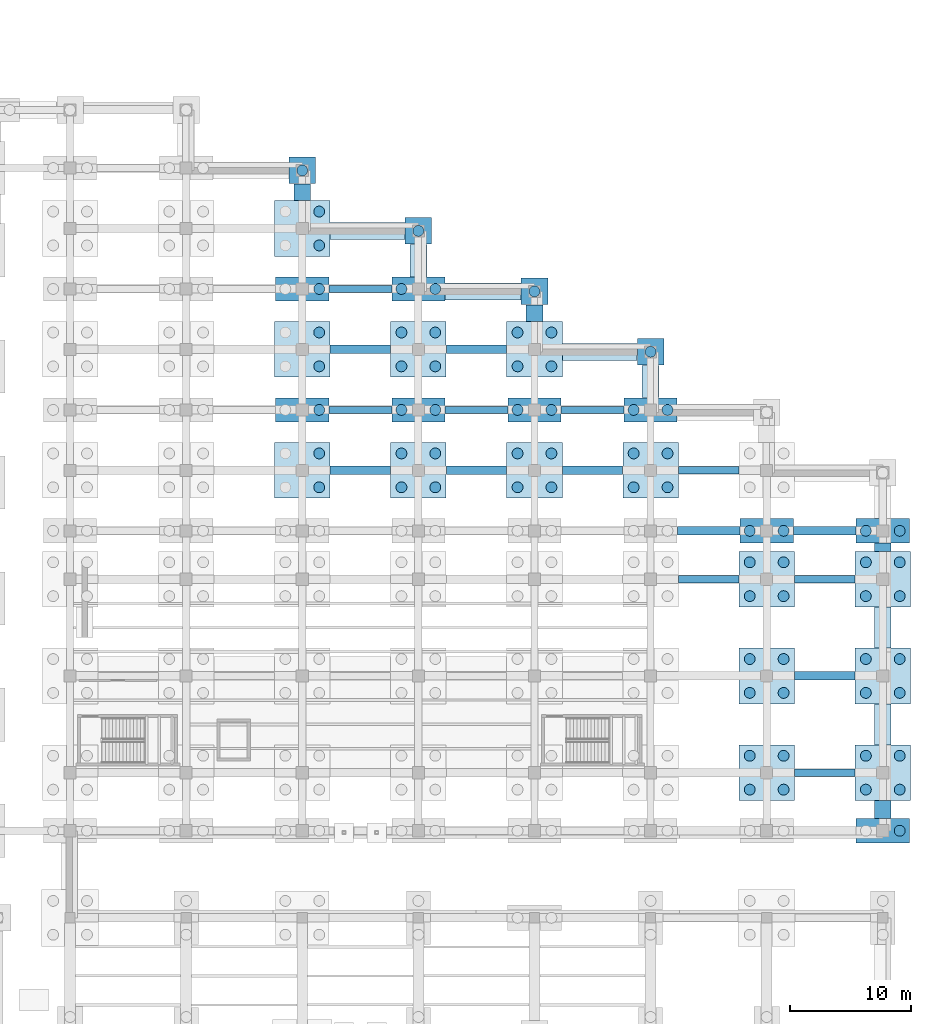
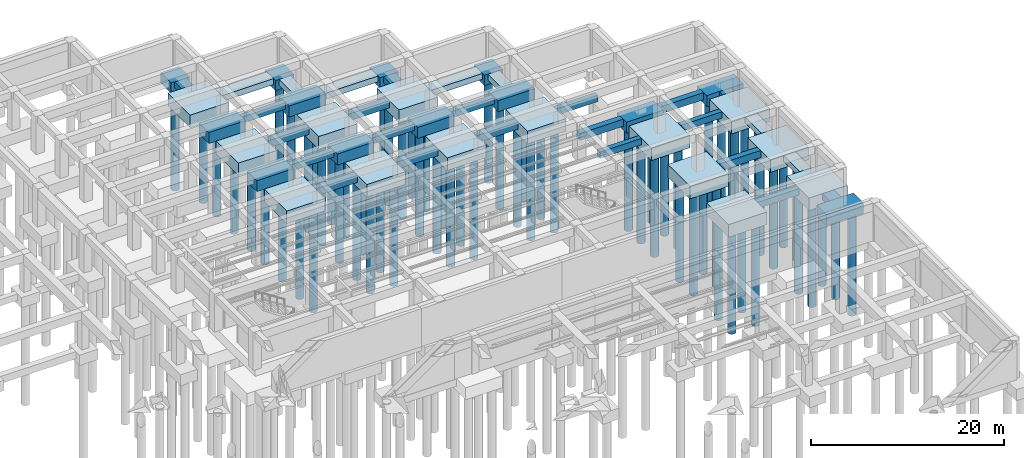
# One storey, part 10 of 56: 69 piles, 54 footings.
"""IFC4 building model written with IfcOpenShell, lengths in metres."""

import ifcopenshell
import ifcopenshell.guid

model = None  # the IFC model being written
_history = None  # IfcOwnerHistory: only IFC2X3 demands one
_inside = {}  # id of a spatial element -> (the spatial element, [elements in it])
_under = {}  # id of a project, library or spatial element -> (it, [spatial elements below it])
_declared = {}  # id of a project -> (the project, [libraries it declares])
_typed = {}  # id of a type object -> (the type object, [elements of that type])
_made_of = {}  # id of a material, layer set ... -> (it, [elements and type objects made of it])


def new_model(schema):
    """Start an empty IFC model of exactly this schema.

    Asked for "IFC4X3", IfcOpenShell would pick the latest addendum, in which some entities
    have other attributes; the version numbers below select the first issue.
    IFC2X3 requires an IfcOwnerHistory on every rooted entity: one is made here for all.
    """
    global model, _history
    if schema == "IFC4X3":
        model = ifcopenshell.file(schema_version=(4, 3, 0, 0))
    else:
        model = ifcopenshell.file(schema=schema)
    _inside.clear()
    _under.clear()
    _declared.clear()
    _typed.clear()
    _made_of.clear()
    _history = None
    if model.schema == "IFC2X3":
        org = make("IfcOrganization", Name="unknown")
        user = make(
            "IfcPersonAndOrganization",
            ThePerson=make("IfcPerson", FamilyName="unknown"),
            TheOrganization=org,
        )
        app = make(
            "IfcApplication",
            ApplicationDeveloper=org,
            Version="unknown",
            ApplicationFullName="unknown",
            ApplicationIdentifier="unknown",
        )
        _history = make(
            "IfcOwnerHistory",
            OwningUser=user,
            OwningApplication=app,
            ChangeAction="ADDED",
            CreationDate=0,
        )
    return model


def make(cls, **values):
    """One entity of the class cls with the attributes given. An attribute that is None is left unset."""
    return model.create_entity(
        cls, **{name: value for name, value in values.items() if value is not None}
    )


def rooted(cls, **values):
    """An entity with a GlobalId (a new one), such as an element, a storey or a relation."""
    return make(cls, GlobalId=ifcopenshell.guid.new(), OwnerHistory=_history, **values)


def si_unit(unit_type, name, prefix=None):
    """IfcSIUnit, for example si_unit("LENGTHUNIT", "METRE", prefix="MILLI")."""
    return make("IfcSIUnit", UnitType=unit_type, Prefix=prefix, Name=name)


def assignment(units):
    """IfcUnitAssignment: the units of a project."""
    return None if units is None else make("IfcUnitAssignment", Units=units)


def point(xyz):
    """IfcCartesianPoint."""
    return None if xyz is None else make("IfcCartesianPoint", Coordinates=xyz)


def direction(xyz):
    """IfcDirection."""
    return None if xyz is None else make("IfcDirection", DirectionRatios=xyz)


def frame(location, z_axis=None, x_axis=None):
    """IfcAxis2Placement3D, a coordinate frame: its origin and axes. An axis left out is left unset."""
    return make(
        "IfcAxis2Placement3D",
        Location=point(location),
        Axis=direction(z_axis),
        RefDirection=direction(x_axis),
    )


def frame_2d(location, x_axis=None):
    """IfcAxis2Placement2D, a coordinate frame in the plane: its origin and x axis."""
    return make(
        "IfcAxis2Placement2D", Location=point(location), RefDirection=direction(x_axis)
    )


def origin():
    """The frame at (0, 0, 0) with its axes left unset."""
    return frame((0.0, 0.0, 0.0))


def origin_2d():
    """The frame at (0, 0) in the plane with its x axis left unset."""
    return frame_2d((0.0, 0.0))


def place(relative_to, where):
    """IfcLocalPlacement: puts the frame where relative to a parent placement (None: the world)."""
    return make(
        "IfcLocalPlacement", PlacementRelTo=relative_to, RelativePlacement=where
    )


def context(
    kind, dimensions, precision=None, world=None, true_north=None, identifier=None
):
    """IfcGeometricRepresentationContext, for example the 3D "Model" context."""
    return make(
        "IfcGeometricRepresentationContext",
        ContextIdentifier=identifier,
        ContextType=kind,
        CoordinateSpaceDimension=dimensions,
        Precision=precision,
        WorldCoordinateSystem=world,
        TrueNorth=true_north,
    )


def subcontext(parent, identifier, kind, view, scale=None):
    """IfcGeometricRepresentationSubContext, for example "Body" below "Model"."""
    return make(
        "IfcGeometricRepresentationSubContext",
        ContextIdentifier=identifier,
        ContextType=kind,
        ParentContext=parent,
        TargetScale=scale,
        TargetView=view,
    )


def project(units=None, contexts=None):
    """IfcProject with its units and contexts."""
    return rooted(
        "IfcProject",
        Name="project",
        RepresentationContexts=contexts,
        UnitsInContext=assignment(units),
    )


def spatial(cls, under=None, at=None, **own):
    """A site, building, storey or space (cls), placed at a placement, below another one or the project."""
    s = rooted(cls, ObjectPlacement=at, **own)
    if under is not None:
        _under.setdefault(under.id(), (under, []))[1].append(s)
    return s


def profile(cls, at=None, kind="AREA", **sizes):
    """A parametric profile (cls). Its sizes go by their IFC names, for example OverallWidth=200.0."""
    return make(cls, ProfileType=kind, Position=at, **sizes)


def rectangle(**sizes):
    """IfcRectangleProfileDef."""
    return profile("IfcRectangleProfileDef", **sizes)


def circle(**sizes):
    """IfcCircleProfileDef."""
    return profile("IfcCircleProfileDef", **sizes)


def extrude(swept, where, along, depth):
    """IfcExtrudedAreaSolid: the profile swept, set in the frame where, extruded along a direction by depth."""
    return make(
        "IfcExtrudedAreaSolid",
        SweptArea=swept,
        Position=where,
        ExtrudedDirection=direction(along),
        Depth=depth,
    )


def shape(context_of_items, identifier, shape_type, items):
    """IfcShapeRepresentation: the items that make up one representation, for example the "Body"."""
    return make(
        "IfcShapeRepresentation",
        ContextOfItems=context_of_items,
        RepresentationIdentifier=identifier,
        RepresentationType=shape_type,
        Items=items,
    )


def material(Name=None, Category=None):
    """IfcMaterial."""
    return make("IfcMaterial", Name=Name, Category=Category)


def material_profile(
    of_material, cross_section, Name=None, Category=None, Priority=None
):
    """IfcMaterialProfile: a cross section and its material."""
    return make(
        "IfcMaterialProfile",
        Name=Name,
        Material=of_material,
        Profile=cross_section,
        Priority=Priority,
        Category=Category,
    )


def profile_set(profiles, Name=None, composite=None):
    """IfcMaterialProfileSet."""
    return make(
        "IfcMaterialProfileSet",
        Name=Name,
        MaterialProfiles=profiles,
        CompositeProfile=composite,
    )


def made_of(thing, what):
    """Note that an element or type object is made of a material, layer set ...; save() writes the relation."""
    if what is not None:
        _made_of.setdefault(what.id(), (what, []))[1].append(thing)
    return thing


def type_object(cls, material=None, **own):
    """A type object (cls), such as IfcWallType, which elements share."""
    return made_of(rooted(cls, **own), material)


def element(
    cls,
    number,
    at=None,
    inside=None,
    cuts=None,
    type_object=None,
    material=None,
    context=None,
    identifier="Body",
    shape_type=None,
    held_by="IfcProductDefinitionShape",
    body=None,
    shapes=None,
    **own,
):
    """One element of the class cls, such as IfcWall. Its Tag is "e" and its number.

    at: its placement. inside: the storey or other place that contains it. cuts: it is an
    opening in that element (IfcRelVoidsElement). A single representation is given by context,
    identifier, shape_type and body (its items); several are given by shapes. held_by: the class
    of the entity that holds the representations. save() writes the other relations.
    """
    e = rooted(cls, Tag="e%d" % number, ObjectPlacement=at, **own)
    if body is not None:
        shapes = [shape(context, identifier, shape_type, body)]
    if shapes is not None:
        e.Representation = make(held_by, Representations=shapes)
    if inside is not None:
        _inside.setdefault(inside.id(), (inside, []))[1].append(e)
    if cuts is not None:
        rooted(
            "IfcRelVoidsElement", RelatingBuildingElement=cuts, RelatedOpeningElement=e
        )
    if type_object is not None:
        _typed.setdefault(type_object.id(), (type_object, []))[1].append(e)
    return made_of(e, material)


def aggregate(whole, parts):
    """IfcRelAggregates: a whole, such as a stair, and the parts it consists of."""
    return rooted("IfcRelAggregates", RelatingObject=whole, RelatedObjects=parts)


def save(model, path):
    """Write the relations noted so far, then the file.

    IfcRelAggregates (storeys below a building ...), IfcRelContainedInSpatialStructure (elements
    in a storey), IfcRelDefinesByType, IfcRelAssociatesMaterial and IfcRelDeclares: one each for
    every whole, place, type object, material and project.
    """
    for whole, parts in _under.values():
        aggregate(whole, parts)
    for where, things in _inside.values():
        rooted(
            "IfcRelContainedInSpatialStructure",
            RelatedElements=things,
            RelatingStructure=where,
        )
    for kind, things in _typed.values():
        rooted("IfcRelDefinesByType", RelatedObjects=things, RelatingType=kind)
    for what, things in _made_of.values():
        rooted("IfcRelAssociatesMaterial", RelatedObjects=things, RelatingMaterial=what)
    for by, libraries in _declared.values():
        rooted("IfcRelDeclares", RelatingContext=by, RelatedDefinitions=libraries)
    model.write(path)


model = new_model("IFC4")

# Units and contexts
model_context = context("Model", 3, precision=1e-05, world=origin(), true_north=direction((0.0, 1.0)))
body_context = subcontext(model_context, "Body", "Model", "MODEL_VIEW")
ifc_project = project(units=[si_unit("LENGTHUNIT", "METRE"), si_unit("AREAUNIT", "SQUARE_METRE"), si_unit("VOLUMEUNIT", "CUBIC_METRE"), si_unit("PLANEANGLEUNIT", "RADIAN"), si_unit("MASSUNIT", "GRAM", prefix="KILO")], contexts=[model_context])

# Site, building, storey
site_placement = place(None, origin())
site = spatial("IfcSite", under=ifc_project, at=site_placement, CompositionType="ELEMENT")
building_placement = place(site_placement, origin())
building = spatial("IfcBuilding", under=site, at=building_placement, Name="Mavantir Sound Aquarium", CompositionType="ELEMENT")
storey_placement = place(building_placement, frame((0.0, 0.0, -9.60009765625)))
storey = spatial("IfcBuildingStorey", under=building, at=storey_placement, Name="B2", CompositionType="ELEMENT", Elevation=-9.60009765625)

# Footings
ifc_material = material(Name="Concrete C40/50", Category="concrete")
ifc_material_profile_1 = material_profile(ifc_material, rectangle(XDim=0.60009765625, YDim=0.800048828125, at=origin_2d()), Name="RC 600X800")
ifc_profile_set_1 = profile_set([ifc_material_profile_1], Name="Concrete C40/50")
footing_type_1 = type_object("IfcFootingType", Name="FB-01", PredefinedType="FOOTING_BEAM", material=ifc_profile_set_1)
for number, where, z_axis, x_axis, name in (
    (1, (129.407958984375, 70.800048828125, -0.39990234375), (1.0, 0.0, 0.0), (0.0, 1.0, 0.0), "Foundation tie beam FB-01 121"),
    (2, (129.407958984375, 80.800048828125, -0.39990234375), (1.0, 0.0, 0.0), (0.0, 1.0, 0.0), "Foundation tie beam FB-01 123"),
):
    element("IfcFooting", number, at=place(storey_placement, frame(where, z_axis=z_axis, x_axis=x_axis)), inside=storey, type_object=footing_type_1, Name=name, PredefinedType="FOOTING_BEAM", context=body_context, shape_type="SweptSolid", body=[
        extrude(rectangle(XDim=0.60009765625, YDim=0.800048828125, at=origin_2d()), origin(), (0.0, 0.0, 1.0), 5.192138671875),
    ])
footing_1_placement = place(storey_placement, frame((139.008056640625, 70.800048828125, -0.39990234375), z_axis=(1.0, 0.0, 0.0), x_axis=(0.0, 1.0, 0.0)))
element("IfcFooting", 3, at=footing_1_placement, inside=storey, type_object=footing_type_1, Name="Foundation tie beam FB-01 131", PredefinedType="FOOTING_BEAM", context=body_context, shape_type="SweptSolid", body=[
    extrude(rectangle(XDim=0.60009765625, YDim=0.800048828125, at=origin_2d()), origin(), (0.0, 0.0, 1.0), 5.19189453125),
])
footing_2_placement = place(storey_placement, frame((148.60791015625, 70.800048828125, -0.39990234375), z_axis=(1.0, 0.0, 0.0), x_axis=(0.0, 1.0, 0.0)))
element("IfcFooting", 4, at=footing_2_placement, inside=storey, type_object=footing_type_1, Name="Foundation tie beam FB-01 143", PredefinedType="FOOTING_BEAM", context=body_context, shape_type="SweptSolid", body=[
    extrude(rectangle(XDim=0.60009765625, YDim=0.800048828125, at=origin_2d()), origin(), (0.0, 0.0, 1.0), 5.18408203125),
])
for number, where, z_axis, x_axis, name in (
    (5, (158.30810546875, 56.800048828125, -0.39990234375), (1.0, 0.0, 0.0), (0.0, 1.0, 0.0), "Foundation tie beam FB-01 149"),
    (6, (158.30810546875, 65.800048828125, -0.39990234375), (1.0, 0.0, 0.0), (0.0, 1.0, 0.0), "Foundation tie beam FB-01 151"),
):
    element("IfcFooting", number, at=place(storey_placement, frame(where, z_axis=z_axis, x_axis=x_axis)), inside=storey, type_object=footing_type_1, Name=name, PredefinedType="FOOTING_BEAM", context=body_context, shape_type="SweptSolid", body=[
        extrude(rectangle(XDim=0.60009765625, YDim=0.800048828125, at=origin_2d()), origin(), (0.0, 0.0, 1.0), 4.98388671875),
    ])
for number, where, z_axis, x_axis, name in (
    (7, (167.907958984375, 40.800048828125, -0.39990234375), (1.0, 0.0, 0.0), (0.0, 1.0, 0.0), "Foundation tie beam FB-01 157"),
    (8, (167.907958984375, 56.800048828125, -0.39990234375), (1.0, 0.0, 0.0), (0.0, 1.0, 0.0), "Foundation tie beam FB-01 159"),
):
    element("IfcFooting", number, at=place(storey_placement, frame(where, z_axis=z_axis, x_axis=x_axis)), inside=storey, type_object=footing_type_1, Name=name, PredefinedType="FOOTING_BEAM", context=body_context, shape_type="SweptSolid", body=[
        extrude(rectangle(XDim=0.60009765625, YDim=0.800048828125, at=origin_2d()), origin(), (0.0, 0.0, 1.0), 4.984130859375),
    ])
ifc_material_profile_2 = material_profile(ifc_material, rectangle(XDim=0.699951171875, YDim=0.89990234375, at=origin_2d()), Name="RC 700X900")
ifc_profile_set_2 = profile_set([ifc_material_profile_2], Name="Concrete C40/50")
footing_type_2 = type_object("IfcFootingType", Name="FB-02", PredefinedType="FOOTING_BEAM", material=ifc_profile_set_2)
for number, where, z_axis, x_axis, name in (
    (9, (129.508056640625, 65.800048828125, -0.449951171875), (1.0, 0.0, 0.0), (0.0, 1.0, 0.0), "Foundation tie beam FB-02 120"),
    (10, (129.508056640625, 75.800048828125, -0.449951171875), (1.0, 0.0, 0.0), (0.0, 1.0, 0.0), "Foundation tie beam FB-02 122"),
):
    element("IfcFooting", number, at=place(storey_placement, frame(where, z_axis=z_axis, x_axis=x_axis)), inside=storey, type_object=footing_type_2, Name=name, PredefinedType="FOOTING_BEAM", context=body_context, shape_type="SweptSolid", body=[
        extrude(rectangle(XDim=0.699951171875, YDim=0.89990234375, at=origin_2d()), origin(), (0.0, 0.0, 1.0), 4.98388671875),
    ])
for number, where, z_axis, x_axis, name in (
    (11, (139.10791015625, 65.800048828125, -0.449951171875), (1.0, 0.0, 0.0), (0.0, 1.0, 0.0), "Foundation tie beam FB-02 130"),
    (12, (139.10791015625, 75.800048828125, -0.449951171875), (1.0, 0.0, 0.0), (0.0, 1.0, 0.0), "Foundation tie beam FB-02 132"),
):
    element("IfcFooting", number, at=place(storey_placement, frame(where, z_axis=z_axis, x_axis=x_axis)), inside=storey, type_object=footing_type_2, Name=name, PredefinedType="FOOTING_BEAM", context=body_context, shape_type="SweptSolid", body=[
        extrude(rectangle(XDim=0.699951171875, YDim=0.89990234375, at=origin_2d()), origin(), (0.0, 0.0, 1.0), 4.984130859375),
    ])
footing_3_placement = place(storey_placement, frame((148.7080078125, 65.800048828125, -0.449951171875), z_axis=(1.0, 0.0, 0.0), x_axis=(0.0, 1.0, 0.0)))
element("IfcFooting", 13, at=footing_3_placement, inside=storey, type_object=footing_type_2, Name="Foundation tie beam FB-02 142", PredefinedType="FOOTING_BEAM", context=body_context, shape_type="SweptSolid", body=[
    extrude(rectangle(XDim=0.699951171875, YDim=0.89990234375, at=origin_2d()), origin(), (0.0, 0.0, 1.0), 4.98388671875),
])
footing_4_placement = place(storey_placement, frame((158.2080078125, 60.800048828125, -0.449951171875), z_axis=(1.0, 0.0, 0.0), x_axis=(0.0, 1.0, 0.0)))
element("IfcFooting", 14, at=footing_4_placement, inside=storey, type_object=footing_type_2, Name="Foundation tie beam FB-02 150", PredefinedType="FOOTING_BEAM", context=body_context, shape_type="SweptSolid", body=[
    extrude(rectangle(XDim=0.699951171875, YDim=0.89990234375, at=origin_2d()), origin(), (0.0, 0.0, 1.0), 5.18408203125),
])
footing_5_placement = place(storey_placement, frame((167.907958984375, 48.800048828125, -0.449951171875), z_axis=(1.0, 0.0, 0.0), x_axis=(0.0, 1.0, 0.0)))
element("IfcFooting", 15, at=footing_5_placement, inside=storey, type_object=footing_type_2, Name="Foundation tie beam FB-02 158", PredefinedType="FOOTING_BEAM", context=body_context, shape_type="SweptSolid", body=[
    extrude(rectangle(XDim=0.699951171875, YDim=0.89990234375, at=origin_2d()), origin(), (0.0, 0.0, 1.0), 4.984130859375),
])
footing_6_placement = place(storey_placement, frame((167.800048828125, 60.800048828125, -0.449951171875), z_axis=(1.0, 0.0, 0.0), x_axis=(0.0, 1.0, 0.0)))
element("IfcFooting", 16, at=footing_6_placement, inside=storey, type_object=footing_type_2, Name="Foundation tie beam FB-02 160", PredefinedType="FOOTING_BEAM", context=body_context, shape_type="SweptSolid", body=[
    extrude(rectangle(XDim=0.699951171875, YDim=0.89990234375, at=origin_2d()), origin(), (0.0, 0.0, 1.0), 5.19189453125),
])
footing_type_3 = type_object("IfcFootingType", Name="PC-01", PredefinedType="PILE_CAP", material=ifc_material)
for number, where, z_axis, x_axis, name in (
    (17, (127.199951171875, 65.800048828125, -1.599853515625), (0.0, 0.0, 1.0), (1.0, 0.0, 0.0), "Pile cap PC-01 87"),
    (18, (127.199951171875, 75.800048828125, -1.599853515625), (0.0, 0.0, 1.0), (1.0, 0.0, 0.0), "Pile cap PC-01 89"),
    (19, (127.199951171875, 85.800048828125, -1.599853515625), (0.0, 0.0, 1.0), (1.0, 0.0, 0.0), "Pile cap PC-01 91"),
    (20, (136.800048828125, 65.800048828125, -1.599853515625), (0.0, 0.0, 1.0), (1.0, 0.0, 0.0), "Pile cap PC-01 98"),
    (21, (136.800048828125, 75.800048828125, -1.599853515625), (0.0, 0.0, 1.0), (1.0, 0.0, 0.0), "Pile cap PC-01 100"),
    (22, (146.39990234375, 65.800048828125, -1.599853515625), (0.0, 0.0, 1.0), (1.0, 0.0, 0.0), "Pile cap PC-01 108"),
    (23, (146.39990234375, 75.800048828125, -1.599853515625), (0.0, 0.0, 1.0), (1.0, 0.0, 0.0), "Pile cap PC-01 110"),
    (24, (156.0, 65.800048828125, -1.599853515625), (0.0, 0.0, 1.0), (1.0, 0.0, 0.0), "Pile cap PC-01 117"),
    (25, (165.60009765625, 40.800048828125, -1.599853515625), (0.0, 0.0, 1.0), (1.0, 0.0, 0.0), "Pile cap PC-01 121"),
    (26, (165.60009765625, 48.800048828125, -1.599853515625), (0.0, 0.0, 1.0), (1.0, 0.0, 0.0), "Pile cap PC-01 122"),
    (27, (165.60009765625, 56.800048828125, -1.599853515625), (0.0, 0.0, 1.0), (1.0, 0.0, 0.0), "Pile cap PC-01 123"),
    (28, (175.199951171875, 40.800048828125, -1.599853515625), (0.0, 0.0, 1.0), (1.0, 0.0, 0.0), "Pile cap PC-01 128"),
    (29, (175.199951171875, 48.800048828125, -1.599853515625), (0.0, 0.0, 1.0), (1.0, 0.0, 0.0), "Pile cap PC-01 129"),
    (30, (175.199951171875, 56.800048828125, -1.599853515625), (0.0, 0.0, 1.0), (1.0, 0.0, 0.0), "Pile cap PC-01 130"),
):
    element("IfcFooting", number, at=place(storey_placement, frame(where, z_axis=z_axis, x_axis=x_axis)), inside=storey, type_object=footing_type_3, Name=name, PredefinedType="PILE_CAP", context=body_context, shape_type="SweptSolid", body=[
        extrude(rectangle(XDim=4.60009765625, YDim=4.60009765625, at=origin_2d()), origin(), (0.0, 0.0, 1.0), 1.60009765625),
    ])
footing_type_4 = type_object("IfcFootingType", Name="PC-03", PredefinedType="PILE_CAP", material=ifc_material)
for number, where, z_axis, x_axis, name in (
    (31, (127.199951171875, 70.800048828125, -1.39990234375), (0.0, 0.0, 1.0), (1.0, 0.0, 0.0), "Pile cap PC-03 88"),
    (32, (127.199951171875, 80.800048828125, -1.39990234375), (0.0, 0.0, 1.0), (1.0, 0.0, 0.0), "Pile cap PC-03 90"),
    (33, (136.800048828125, 70.800048828125, -1.39990234375), (0.0, 0.0, 1.0), (1.0, 0.0, 0.0), "Pile cap PC-03 99"),
    (34, (136.800048828125, 80.800048828125, -1.39990234375), (0.0, 0.0, 1.0), (1.0, 0.0, 0.0), "Pile cap PC-03 101"),
    (35, (146.39990234375, 70.800048828125, -1.39990234375), (0.0, 0.0, 1.0), (1.0, 0.0, 0.0), "Pile cap PC-03 109"),
    (36, (156.0, 70.800048828125, -1.39990234375), (0.0, 0.0, 1.0), (1.0, 0.0, 0.0), "Pile cap PC-03 118"),
    (37, (165.60009765625, 60.800048828125, -1.39990234375), (0.0, 0.0, 1.0), (1.0, 0.0, 0.0), "Pile cap PC-03 124"),
    (38, (175.199951171875, 36.0, -1.39990234375), (0.0, 0.0, 1.0), (1.0, 0.0, 0.0), "Pile cap PC-03 127"),
    (39, (175.199951171875, 60.800048828125, -1.39990234375), (0.0, 0.0, 1.0), (1.0, 0.0, 0.0), "Pile cap PC-03 131"),
):
    element("IfcFooting", number, at=place(storey_placement, frame(where, z_axis=z_axis, x_axis=x_axis)), inside=storey, type_object=footing_type_4, Name=name, PredefinedType="PILE_CAP", context=body_context, shape_type="SweptSolid", body=[
        extrude(rectangle(XDim=4.39990234375, YDim=2.0, at=origin_2d()), origin(), (0.0, 0.0, 1.0), 1.39990234375),
    ])
footing_type_5 = type_object("IfcFootingType", Name="PC-08", PredefinedType="PILE_CAP", material=ifc_material)
for number, where, z_axis, x_axis, name in (
    (40, (127.199951171875, 90.60009765625, -1.2998046875), (0.0, 0.0, 1.0), (1.0, 0.0, 0.0), "Pile cap PC-08 92"),
    (41, (136.800048828125, 85.60009765625, -1.2998046875), (0.0, 0.0, 1.0), (1.0, 0.0, 0.0), "Pile cap PC-08 102"),
    (42, (146.39990234375, 80.60009765625, -1.2998046875), (0.0, 0.0, 1.0), (1.0, 0.0, 0.0), "Pile cap PC-08 111"),
    (43, (156.0, 75.60009765625, -1.2998046875), (0.0, 0.0, 1.0), (1.0, 0.0, 0.0), "Pile cap PC-08 119"),
):
    element("IfcFooting", number, at=place(storey_placement, frame(where, z_axis=z_axis, x_axis=x_axis)), inside=storey, type_object=footing_type_5, Name=name, PredefinedType="PILE_CAP", context=body_context, shape_type="SweptSolid", body=[
        extrude(rectangle(XDim=2.199951171875, YDim=2.199951171875, at=origin_2d()), origin(), (0.0, 0.0, 1.0), 1.300048828125),
    ])

# Piles
ifc_material_profile_3 = material_profile(ifc_material, circle(Radius=0.449951171875, at=origin_2d()), Name="PILE D900")
ifc_profile_set_3 = profile_set([ifc_material_profile_3], Name="Concrete C40/50")
pile_type = type_object("IfcPileType", Name="PILE-D900", PredefinedType="BORED", material=ifc_profile_set_3)
for number, where, z_axis, x_axis, name in (
    (44, (128.60009765625, 64.39990234375, -1.5), (0.0, 0.0, -1.0), (1.0, 0.0, 0.0), "Bored pile P-900 312"),
    (45, (128.60009765625, 67.199951171875, -1.5), (0.0, 0.0, -1.0), (1.0, 0.0, 0.0), "Bored pile P-900 314"),
):
    element("IfcPile", number, at=place(storey_placement, frame(where, z_axis=z_axis, x_axis=x_axis)), inside=storey, type_object=pile_type, Name=name, PredefinedType="BORED", context=body_context, shape_type="SweptSolid", body=[
        extrude(circle(Radius=0.449951171875, at=origin_2d()), origin(), (0.0, 0.0, 1.0), 12.89990234375),
    ])
pile_1_placement = place(storey_placement, frame((128.60009765625, 70.800048828125, -1.2998046875), z_axis=(0.0, 0.0, -1.0), x_axis=(1.0, 0.0, 0.0)))
element("IfcPile", 46, at=pile_1_placement, inside=storey, type_object=pile_type, Name="Bored pile P-900 316", PredefinedType="BORED", context=body_context, shape_type="SweptSolid", body=[
    extrude(circle(Radius=0.449951171875, at=origin_2d()), origin(), (0.0, 0.0, 1.0), 13.10009765625),
])
for number, where, z_axis, x_axis, name in (
    (47, (128.60009765625, 74.39990234375, -1.5), (0.0, 0.0, -1.0), (1.0, 0.0, 0.0), "Bored pile P-900 318"),
    (48, (128.60009765625, 77.199951171875, -1.5), (0.0, 0.0, -1.0), (1.0, 0.0, 0.0), "Bored pile P-900 320"),
):
    element("IfcPile", number, at=place(storey_placement, frame(where, z_axis=z_axis, x_axis=x_axis)), inside=storey, type_object=pile_type, Name=name, PredefinedType="BORED", context=body_context, shape_type="SweptSolid", body=[
        extrude(circle(Radius=0.449951171875, at=origin_2d()), origin(), (0.0, 0.0, 1.0), 12.89990234375),
    ])
pile_2_placement = place(storey_placement, frame((128.60009765625, 80.800048828125, -1.2998046875), z_axis=(0.0, 0.0, -1.0), x_axis=(1.0, 0.0, 0.0)))
element("IfcPile", 49, at=pile_2_placement, inside=storey, type_object=pile_type, Name="Bored pile P-900 322", PredefinedType="BORED", context=body_context, shape_type="SweptSolid", body=[
    extrude(circle(Radius=0.449951171875, at=origin_2d()), origin(), (0.0, 0.0, 1.0), 13.10009765625),
])
for number, where, z_axis, x_axis, name in (
    (50, (128.60009765625, 84.39990234375, -1.5), (0.0, 0.0, -1.0), (1.0, 0.0, 0.0), "Bored pile P-900 324"),
    (51, (128.60009765625, 87.199951171875, -1.5), (0.0, 0.0, -1.0), (1.0, 0.0, 0.0), "Bored pile P-900 326"),
):
    element("IfcPile", number, at=place(storey_placement, frame(where, z_axis=z_axis, x_axis=x_axis)), inside=storey, type_object=pile_type, Name=name, PredefinedType="BORED", context=body_context, shape_type="SweptSolid", body=[
        extrude(circle(Radius=0.449951171875, at=origin_2d()), origin(), (0.0, 0.0, 1.0), 12.89990234375),
    ])
pile_3_placement = place(storey_placement, frame((127.199951171875, 90.60009765625, -1.199951171875), z_axis=(0.0, 0.0, -1.0), x_axis=(1.0, 0.0, 0.0)))
element("IfcPile", 52, at=pile_3_placement, inside=storey, type_object=pile_type, Name="Bored pile P-900 327", PredefinedType="BORED", context=body_context, shape_type="SweptSolid", body=[
    extrude(circle(Radius=0.449951171875, at=origin_2d()), origin(), (0.0, 0.0, 1.0), 13.199951171875),
])
for number, where, z_axis, x_axis, name in (
    (53, (135.39990234375, 64.39990234375, -1.5), (0.0, 0.0, -1.0), (1.0, 0.0, 0.0), "Bored pile P-900 344"),
    (54, (138.199951171875, 64.39990234375, -1.5), (0.0, 0.0, -1.0), (1.0, 0.0, 0.0), "Bored pile P-900 345"),
    (55, (135.39990234375, 67.199951171875, -1.5), (0.0, 0.0, -1.0), (1.0, 0.0, 0.0), "Bored pile P-900 346"),
    (56, (138.199951171875, 67.199951171875, -1.5), (0.0, 0.0, -1.0), (1.0, 0.0, 0.0), "Bored pile P-900 347"),
):
    element("IfcPile", number, at=place(storey_placement, frame(where, z_axis=z_axis, x_axis=x_axis)), inside=storey, type_object=pile_type, Name=name, PredefinedType="BORED", context=body_context, shape_type="SweptSolid", body=[
        extrude(circle(Radius=0.449951171875, at=origin_2d()), origin(), (0.0, 0.0, 1.0), 12.89990234375),
    ])
for number, where, z_axis, x_axis, name in (
    (57, (135.39990234375, 70.800048828125, -1.2998046875), (0.0, 0.0, -1.0), (1.0, 0.0, 0.0), "Bored pile P-900 348"),
    (58, (138.199951171875, 70.800048828125, -1.2998046875), (0.0, 0.0, -1.0), (1.0, 0.0, 0.0), "Bored pile P-900 349"),
):
    element("IfcPile", number, at=place(storey_placement, frame(where, z_axis=z_axis, x_axis=x_axis)), inside=storey, type_object=pile_type, Name=name, PredefinedType="BORED", context=body_context, shape_type="SweptSolid", body=[
        extrude(circle(Radius=0.449951171875, at=origin_2d()), origin(), (0.0, 0.0, 1.0), 13.10009765625),
    ])
for number, where, z_axis, x_axis, name in (
    (59, (135.39990234375, 74.39990234375, -1.5), (0.0, 0.0, -1.0), (1.0, 0.0, 0.0), "Bored pile P-900 350"),
    (60, (138.199951171875, 74.39990234375, -1.5), (0.0, 0.0, -1.0), (1.0, 0.0, 0.0), "Bored pile P-900 351"),
    (61, (135.39990234375, 77.199951171875, -1.5), (0.0, 0.0, -1.0), (1.0, 0.0, 0.0), "Bored pile P-900 352"),
    (62, (138.199951171875, 77.199951171875, -1.5), (0.0, 0.0, -1.0), (1.0, 0.0, 0.0), "Bored pile P-900 353"),
):
    element("IfcPile", number, at=place(storey_placement, frame(where, z_axis=z_axis, x_axis=x_axis)), inside=storey, type_object=pile_type, Name=name, PredefinedType="BORED", context=body_context, shape_type="SweptSolid", body=[
        extrude(circle(Radius=0.449951171875, at=origin_2d()), origin(), (0.0, 0.0, 1.0), 12.89990234375),
    ])
for number, where, z_axis, x_axis, name in (
    (63, (135.39990234375, 80.800048828125, -1.2998046875), (0.0, 0.0, -1.0), (1.0, 0.0, 0.0), "Bored pile P-900 354"),
    (64, (138.199951171875, 80.800048828125, -1.2998046875), (0.0, 0.0, -1.0), (1.0, 0.0, 0.0), "Bored pile P-900 355"),
):
    element("IfcPile", number, at=place(storey_placement, frame(where, z_axis=z_axis, x_axis=x_axis)), inside=storey, type_object=pile_type, Name=name, PredefinedType="BORED", context=body_context, shape_type="SweptSolid", body=[
        extrude(circle(Radius=0.449951171875, at=origin_2d()), origin(), (0.0, 0.0, 1.0), 13.10009765625),
    ])
pile_4_placement = place(storey_placement, frame((136.800048828125, 85.60009765625, -1.199951171875), z_axis=(0.0, 0.0, -1.0), x_axis=(1.0, 0.0, 0.0)))
element("IfcPile", 65, at=pile_4_placement, inside=storey, type_object=pile_type, Name="Bored pile P-900 356", PredefinedType="BORED", context=body_context, shape_type="SweptSolid", body=[
    extrude(circle(Radius=0.449951171875, at=origin_2d()), origin(), (0.0, 0.0, 1.0), 13.199951171875),
])
for number, where, z_axis, x_axis, name in (
    (66, (145.0, 64.39990234375, -1.5), (0.0, 0.0, -1.0), (1.0, 0.0, 0.0), "Bored pile P-900 373"),
    (67, (147.800048828125, 64.39990234375, -1.5), (0.0, 0.0, -1.0), (1.0, 0.0, 0.0), "Bored pile P-900 374"),
    (68, (145.0, 67.199951171875, -1.5), (0.0, 0.0, -1.0), (1.0, 0.0, 0.0), "Bored pile P-900 375"),
    (69, (147.800048828125, 67.199951171875, -1.5), (0.0, 0.0, -1.0), (1.0, 0.0, 0.0), "Bored pile P-900 376"),
):
    element("IfcPile", number, at=place(storey_placement, frame(where, z_axis=z_axis, x_axis=x_axis)), inside=storey, type_object=pile_type, Name=name, PredefinedType="BORED", context=body_context, shape_type="SweptSolid", body=[
        extrude(circle(Radius=0.449951171875, at=origin_2d()), origin(), (0.0, 0.0, 1.0), 12.89990234375),
    ])
for number, where, z_axis, x_axis, name in (
    (70, (145.0, 70.800048828125, -1.2998046875), (0.0, 0.0, -1.0), (1.0, 0.0, 0.0), "Bored pile P-900 377"),
    (71, (147.800048828125, 70.800048828125, -1.2998046875), (0.0, 0.0, -1.0), (1.0, 0.0, 0.0), "Bored pile P-900 378"),
):
    element("IfcPile", number, at=place(storey_placement, frame(where, z_axis=z_axis, x_axis=x_axis)), inside=storey, type_object=pile_type, Name=name, PredefinedType="BORED", context=body_context, shape_type="SweptSolid", body=[
        extrude(circle(Radius=0.449951171875, at=origin_2d()), origin(), (0.0, 0.0, 1.0), 13.10009765625),
    ])
for number, where, z_axis, x_axis, name in (
    (72, (145.0, 74.39990234375, -1.5), (0.0, 0.0, -1.0), (1.0, 0.0, 0.0), "Bored pile P-900 379"),
    (73, (147.800048828125, 74.39990234375, -1.5), (0.0, 0.0, -1.0), (1.0, 0.0, 0.0), "Bored pile P-900 380"),
    (74, (145.0, 77.199951171875, -1.5), (0.0, 0.0, -1.0), (1.0, 0.0, 0.0), "Bored pile P-900 381"),
    (75, (147.800048828125, 77.199951171875, -1.5), (0.0, 0.0, -1.0), (1.0, 0.0, 0.0), "Bored pile P-900 382"),
):
    element("IfcPile", number, at=place(storey_placement, frame(where, z_axis=z_axis, x_axis=x_axis)), inside=storey, type_object=pile_type, Name=name, PredefinedType="BORED", context=body_context, shape_type="SweptSolid", body=[
        extrude(circle(Radius=0.449951171875, at=origin_2d()), origin(), (0.0, 0.0, 1.0), 12.89990234375),
    ])
pile_5_placement = place(storey_placement, frame((146.39990234375, 80.60009765625, -1.199951171875), z_axis=(0.0, 0.0, -1.0), x_axis=(1.0, 0.0, 0.0)))
element("IfcPile", 76, at=pile_5_placement, inside=storey, type_object=pile_type, Name="Bored pile P-900 383", PredefinedType="BORED", context=body_context, shape_type="SweptSolid", body=[
    extrude(circle(Radius=0.449951171875, at=origin_2d()), origin(), (0.0, 0.0, 1.0), 13.199951171875),
])
for number, where, z_axis, x_axis, name in (
    (77, (154.60009765625, 64.39990234375, -1.5), (0.0, 0.0, -1.0), (1.0, 0.0, 0.0), "Bored pile P-900 400"),
    (78, (157.39990234375, 64.39990234375, -1.5), (0.0, 0.0, -1.0), (1.0, 0.0, 0.0), "Bored pile P-900 401"),
    (79, (154.60009765625, 67.199951171875, -1.5), (0.0, 0.0, -1.0), (1.0, 0.0, 0.0), "Bored pile P-900 402"),
    (80, (157.39990234375, 67.199951171875, -1.5), (0.0, 0.0, -1.0), (1.0, 0.0, 0.0), "Bored pile P-900 403"),
):
    element("IfcPile", number, at=place(storey_placement, frame(where, z_axis=z_axis, x_axis=x_axis)), inside=storey, type_object=pile_type, Name=name, PredefinedType="BORED", context=body_context, shape_type="SweptSolid", body=[
        extrude(circle(Radius=0.449951171875, at=origin_2d()), origin(), (0.0, 0.0, 1.0), 12.89990234375),
    ])
for number, where, z_axis, x_axis, name in (
    (81, (154.60009765625, 70.800048828125, -1.2998046875), (0.0, 0.0, -1.0), (1.0, 0.0, 0.0), "Bored pile P-900 404"),
    (82, (157.39990234375, 70.800048828125, -1.2998046875), (0.0, 0.0, -1.0), (1.0, 0.0, 0.0), "Bored pile P-900 405"),
):
    element("IfcPile", number, at=place(storey_placement, frame(where, z_axis=z_axis, x_axis=x_axis)), inside=storey, type_object=pile_type, Name=name, PredefinedType="BORED", context=body_context, shape_type="SweptSolid", body=[
        extrude(circle(Radius=0.449951171875, at=origin_2d()), origin(), (0.0, 0.0, 1.0), 13.10009765625),
    ])
pile_6_placement = place(storey_placement, frame((156.0, 75.60009765625, -1.199951171875), z_axis=(0.0, 0.0, -1.0), x_axis=(1.0, 0.0, 0.0)))
element("IfcPile", 83, at=pile_6_placement, inside=storey, type_object=pile_type, Name="Bored pile P-900 406", PredefinedType="BORED", context=body_context, shape_type="SweptSolid", body=[
    extrude(circle(Radius=0.449951171875, at=origin_2d()), origin(), (0.0, 0.0, 1.0), 13.199951171875),
])
for number, where, z_axis, x_axis, name in (
    (84, (164.199951171875, 39.39990234375, -1.5), (0.0, 0.0, -1.0), (1.0, 0.0, 0.0), "Bored pile P-900 409"),
    (85, (167.0, 39.39990234375, -1.5), (0.0, 0.0, -1.0), (1.0, 0.0, 0.0), "Bored pile P-900 410"),
    (86, (164.199951171875, 42.199951171875, -1.5), (0.0, 0.0, -1.0), (1.0, 0.0, 0.0), "Bored pile P-900 411"),
    (87, (167.0, 42.199951171875, -1.5), (0.0, 0.0, -1.0), (1.0, 0.0, 0.0), "Bored pile P-900 412"),
    (88, (164.199951171875, 47.39990234375, -1.5), (0.0, 0.0, -1.0), (1.0, 0.0, 0.0), "Bored pile P-900 413"),
    (89, (167.0, 47.39990234375, -1.5), (0.0, 0.0, -1.0), (1.0, 0.0, 0.0), "Bored pile P-900 414"),
    (90, (164.199951171875, 50.199951171875, -1.5), (0.0, 0.0, -1.0), (1.0, 0.0, 0.0), "Bored pile P-900 415"),
    (91, (167.0, 50.199951171875, -1.5), (0.0, 0.0, -1.0), (1.0, 0.0, 0.0), "Bored pile P-900 416"),
    (92, (164.199951171875, 55.39990234375, -1.5), (0.0, 0.0, -1.0), (1.0, 0.0, 0.0), "Bored pile P-900 417"),
    (93, (167.0, 55.39990234375, -1.5), (0.0, 0.0, -1.0), (1.0, 0.0, 0.0), "Bored pile P-900 418"),
    (94, (164.199951171875, 58.199951171875, -1.5), (0.0, 0.0, -1.0), (1.0, 0.0, 0.0), "Bored pile P-900 419"),
    (95, (167.0, 58.199951171875, -1.5), (0.0, 0.0, -1.0), (1.0, 0.0, 0.0), "Bored pile P-900 420"),
):
    element("IfcPile", number, at=place(storey_placement, frame(where, z_axis=z_axis, x_axis=x_axis)), inside=storey, type_object=pile_type, Name=name, PredefinedType="BORED", context=body_context, shape_type="SweptSolid", body=[
        extrude(circle(Radius=0.449951171875, at=origin_2d()), origin(), (0.0, 0.0, 1.0), 12.89990234375),
    ])
for number, where, z_axis, x_axis, name in (
    (96, (164.199951171875, 60.800048828125, -1.2998046875), (0.0, 0.0, -1.0), (1.0, 0.0, 0.0), "Bored pile P-900 421"),
    (97, (167.0, 60.800048828125, -1.2998046875), (0.0, 0.0, -1.0), (1.0, 0.0, 0.0), "Bored pile P-900 422"),
    (98, (176.60009765625, 36.0, -1.2998046875), (0.0, 0.0, -1.0), (1.0, 0.0, 0.0), "Bored pile P-900 429"),
):
    element("IfcPile", number, at=place(storey_placement, frame(where, z_axis=z_axis, x_axis=x_axis)), inside=storey, type_object=pile_type, Name=name, PredefinedType="BORED", context=body_context, shape_type="SweptSolid", body=[
        extrude(circle(Radius=0.449951171875, at=origin_2d()), origin(), (0.0, 0.0, 1.0), 13.10009765625),
    ])
for number, where, z_axis, x_axis, name in (
    (99, (173.800048828125, 39.39990234375, -1.5), (0.0, 0.0, -1.0), (1.0, 0.0, 0.0), "Bored pile P-900 430"),
    (100, (176.60009765625, 39.39990234375, -1.5), (0.0, 0.0, -1.0), (1.0, 0.0, 0.0), "Bored pile P-900 431"),
    (101, (173.800048828125, 42.199951171875, -1.5), (0.0, 0.0, -1.0), (1.0, 0.0, 0.0), "Bored pile P-900 432"),
    (102, (176.60009765625, 42.199951171875, -1.5), (0.0, 0.0, -1.0), (1.0, 0.0, 0.0), "Bored pile P-900 433"),
    (103, (173.800048828125, 47.39990234375, -1.5), (0.0, 0.0, -1.0), (1.0, 0.0, 0.0), "Bored pile P-900 434"),
    (104, (176.60009765625, 47.39990234375, -1.5), (0.0, 0.0, -1.0), (1.0, 0.0, 0.0), "Bored pile P-900 435"),
    (105, (173.800048828125, 50.199951171875, -1.5), (0.0, 0.0, -1.0), (1.0, 0.0, 0.0), "Bored pile P-900 436"),
    (106, (176.60009765625, 50.199951171875, -1.5), (0.0, 0.0, -1.0), (1.0, 0.0, 0.0), "Bored pile P-900 437"),
    (107, (173.800048828125, 55.39990234375, -1.5), (0.0, 0.0, -1.0), (1.0, 0.0, 0.0), "Bored pile P-900 438"),
    (108, (176.60009765625, 55.39990234375, -1.5), (0.0, 0.0, -1.0), (1.0, 0.0, 0.0), "Bored pile P-900 439"),
    (109, (173.800048828125, 58.199951171875, -1.5), (0.0, 0.0, -1.0), (1.0, 0.0, 0.0), "Bored pile P-900 440"),
    (110, (176.60009765625, 58.199951171875, -1.5), (0.0, 0.0, -1.0), (1.0, 0.0, 0.0), "Bored pile P-900 441"),
):
    element("IfcPile", number, at=place(storey_placement, frame(where, z_axis=z_axis, x_axis=x_axis)), inside=storey, type_object=pile_type, Name=name, PredefinedType="BORED", context=body_context, shape_type="SweptSolid", body=[
        extrude(circle(Radius=0.449951171875, at=origin_2d()), origin(), (0.0, 0.0, 1.0), 12.89990234375),
    ])
for number, where, z_axis, x_axis, name in (
    (111, (173.800048828125, 60.800048828125, -1.2998046875), (0.0, 0.0, -1.0), (1.0, 0.0, 0.0), "Bored pile P-900 442"),
    (112, (176.60009765625, 60.800048828125, -1.2998046875), (0.0, 0.0, -1.0), (1.0, 0.0, 0.0), "Bored pile P-900 443"),
):
    element("IfcPile", number, at=place(storey_placement, frame(where, z_axis=z_axis, x_axis=x_axis)), inside=storey, type_object=pile_type, Name=name, PredefinedType="BORED", context=body_context, shape_type="SweptSolid", body=[
        extrude(circle(Radius=0.449951171875, at=origin_2d()), origin(), (0.0, 0.0, 1.0), 13.10009765625),
    ])

# Footings
ifc_material_profile_4 = material_profile(ifc_material, rectangle(XDim=1.39990234375, YDim=0.75, at=origin_2d()), Name="RC 1400X750")
ifc_profile_set_4 = profile_set([ifc_material_profile_4], Name="Concrete C40/50")
footing_type_6 = type_object("IfcFootingType", Name="SF-02", PredefinedType="STRIP_FOOTING", material=ifc_profile_set_4)
footing_7_placement = place(storey_placement, frame((127.199951171875, 89.491943359375, -0.375), z_axis=(0.0, -1.0, 0.0), x_axis=(1.0, 0.0, 0.0)))
element("IfcFooting", 113, at=footing_7_placement, inside=storey, type_object=footing_type_6, Name="Perimeter retaining wall strip footing 21", PredefinedType="STRIP_FOOTING", context=body_context, shape_type="SweptSolid", body=[
    extrude(rectangle(XDim=1.39990234375, YDim=0.75, at=origin_2d()), origin(), (0.0, 0.0, 1.0), 1.384033203125),
])
footing_8_placement = place(storey_placement, frame((129.508056640625, 85.60009765625, -0.375), z_axis=(1.0, 0.0, 0.0), x_axis=(0.0, 1.0, 0.0)))
element("IfcFooting", 114, at=footing_8_placement, inside=storey, type_object=footing_type_6, Name="Perimeter retaining wall strip footing 22", PredefinedType="STRIP_FOOTING", context=body_context, shape_type="SweptSolid", body=[
    extrude(rectangle(XDim=1.39990234375, YDim=0.75, at=origin_2d()), origin(), (0.0, 0.0, 1.0), 6.183837890625),
])
footing_9_placement = place(storey_placement, frame((136.800048828125, 84.491943359375, -0.375), z_axis=(0.0, -1.0, 0.0), x_axis=(1.0, 0.0, 0.0)))
element("IfcFooting", 115, at=footing_9_placement, inside=storey, type_object=footing_type_6, Name="Perimeter retaining wall strip footing 23", PredefinedType="STRIP_FOOTING", context=body_context, shape_type="SweptSolid", body=[
    extrude(rectangle(XDim=1.39990234375, YDim=0.75, at=origin_2d()), origin(), (0.0, 0.0, 1.0), 2.683837890625),
])
footing_10_placement = place(storey_placement, frame((139.008056640625, 80.60009765625, -0.375), z_axis=(1.0, 0.0, 0.0), x_axis=(0.0, 1.0, 0.0)))
element("IfcFooting", 116, at=footing_10_placement, inside=storey, type_object=footing_type_6, Name="Perimeter retaining wall strip footing 24", PredefinedType="STRIP_FOOTING", context=body_context, shape_type="SweptSolid", body=[
    extrude(rectangle(XDim=1.39990234375, YDim=0.75, at=origin_2d()), origin(), (0.0, 0.0, 1.0), 6.283935546875),
])
footing_11_placement = place(storey_placement, frame((146.39990234375, 79.491943359375, -0.375), z_axis=(0.0, -1.0, 0.0), x_axis=(1.0, 0.0, 0.0)))
element("IfcFooting", 117, at=footing_11_placement, inside=storey, type_object=footing_type_6, Name="Perimeter retaining wall strip footing 25", PredefinedType="STRIP_FOOTING", context=body_context, shape_type="SweptSolid", body=[
    extrude(rectangle(XDim=1.39990234375, YDim=0.75, at=origin_2d()), origin(), (0.0, 0.0, 1.0), 1.384033203125),
])
footing_12_placement = place(storey_placement, frame((148.7080078125, 75.60009765625, -0.375), z_axis=(1.0, 0.0, 0.0), x_axis=(0.0, 1.0, 0.0)))
element("IfcFooting", 118, at=footing_12_placement, inside=storey, type_object=footing_type_6, Name="Perimeter retaining wall strip footing 26", PredefinedType="STRIP_FOOTING", context=body_context, shape_type="SweptSolid", body=[
    extrude(rectangle(XDim=1.39990234375, YDim=0.75, at=origin_2d()), origin(), (0.0, 0.0, 1.0), 6.18408203125),
])
footing_13_placement = place(storey_placement, frame((156.0, 74.491943359375, -0.375), z_axis=(0.0, -1.0, 0.0), x_axis=(1.0, 0.0, 0.0)))
element("IfcFooting", 119, at=footing_13_placement, inside=storey, type_object=footing_type_6, Name="Perimeter retaining wall strip footing 27", PredefinedType="STRIP_FOOTING", context=body_context, shape_type="SweptSolid", body=[
    extrude(rectangle(XDim=1.39990234375, YDim=0.75, at=origin_2d()), origin(), (0.0, 0.0, 1.0), 2.683837890625),
])
footing_14_placement = place(storey_placement, frame((175.199951171875, 59.7919921875, -0.375), z_axis=(0.0, -1.0, 0.0), x_axis=(1.0, 0.0, 0.0)))
element("IfcFooting", 120, at=footing_14_placement, inside=storey, type_object=footing_type_6, Name="Perimeter retaining wall strip footing 32", PredefinedType="STRIP_FOOTING", context=body_context, shape_type="SweptSolid", body=[
    extrude(rectangle(XDim=1.39990234375, YDim=0.75, at=origin_2d()), origin(), (0.0, 0.0, 1.0), 0.68408203125),
])
for number, where, z_axis, x_axis, name in (
    (121, (175.199951171875, 54.491943359375, -0.375), (0.0, -1.0, 0.0), (1.0, 0.0, 0.0), "Perimeter retaining wall strip footing 33"),
    (122, (175.199951171875, 46.491943359375, -0.375), (0.0, -1.0, 0.0), (1.0, 0.0, 0.0), "Perimeter retaining wall strip footing 34"),
):
    element("IfcFooting", number, at=place(storey_placement, frame(where, z_axis=z_axis, x_axis=x_axis)), inside=storey, type_object=footing_type_6, Name=name, PredefinedType="STRIP_FOOTING", context=body_context, shape_type="SweptSolid", body=[
        extrude(rectangle(XDim=1.39990234375, YDim=0.75, at=origin_2d()), origin(), (0.0, 0.0, 1.0), 3.384033203125),
    ])
footing_15_placement = place(storey_placement, frame((175.199951171875, 38.491943359375, -0.375), z_axis=(0.0, -1.0, 0.0), x_axis=(1.0, 0.0, 0.0)))
element("IfcFooting", 123, at=footing_15_placement, inside=storey, type_object=footing_type_6, Name="Perimeter retaining wall strip footing 35", PredefinedType="STRIP_FOOTING", context=body_context, shape_type="SweptSolid", body=[
    extrude(rectangle(XDim=1.39990234375, YDim=0.75, at=origin_2d()), origin(), (0.0, 0.0, 1.0), 1.48388671875),
])

save(model, "model.ifc")
